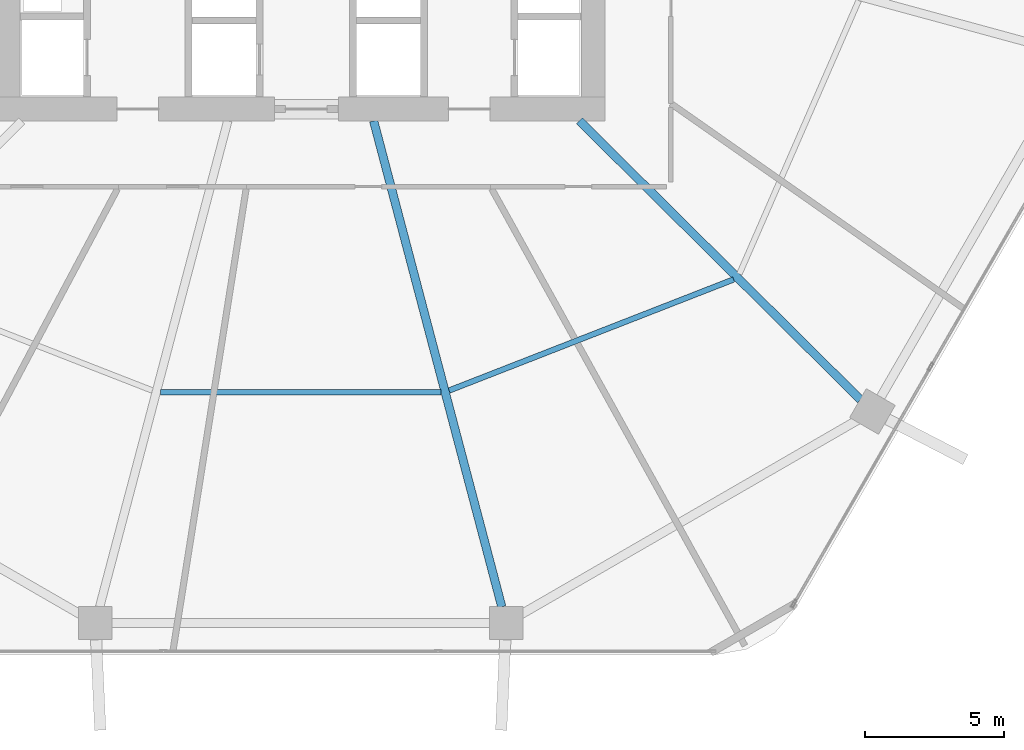
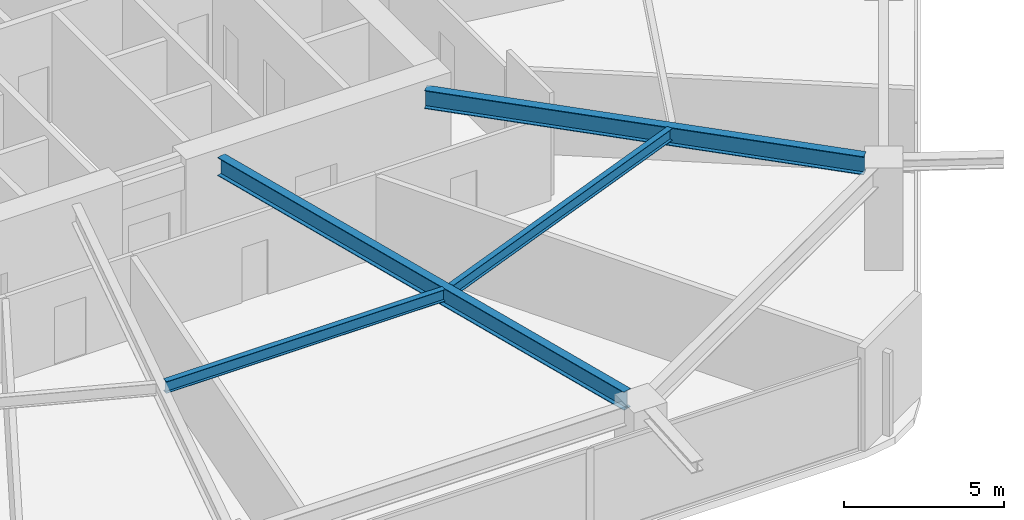
# One storey, part 8 of 26: 4 beams.
"""IFC4 building model written with IfcOpenShell, lengths in metres."""

from ifc_helpers import new_model, si_unit, direction, frame, origin, origin_2d, place, context, subcontext, project, spatial, i_section, extrude, material, material_profile, profile_set, type_object, element, save


model = new_model("IFC4")

# Units and contexts
model_context = context("Model", 3, precision=1e-05, world=origin(), true_north=direction((0.0, 1.0)))
body_context = subcontext(model_context, "Body", "Model", "MODEL_VIEW")
ifc_project = project(units=[si_unit("LENGTHUNIT", "METRE"), si_unit("AREAUNIT", "SQUARE_METRE"), si_unit("VOLUMEUNIT", "CUBIC_METRE"), si_unit("PLANEANGLEUNIT", "RADIAN"), si_unit("MASSUNIT", "GRAM", prefix="KILO")], contexts=[model_context])

# Site, building, storey
site_placement = place(None, origin())
site = spatial("IfcSite", under=ifc_project, at=site_placement, CompositionType="ELEMENT")
building_placement = place(site_placement, origin())
building = spatial("IfcBuilding", under=site, at=building_placement, Name="Zuhravey Tower", CompositionType="ELEMENT")
storey_placement = place(building_placement, frame((0.0, 0.0, 28.800048828125)))
storey = spatial("IfcBuildingStorey", under=building, at=storey_placement, Name="L07", CompositionType="ELEMENT", Elevation=28.800048828125)

# Beams
ifc_material = material(Name="Steel SM355", Category="steel")
ifc_material_profile_1 = material_profile(ifc_material, i_section(OverallWidth=0.300048828125, OverallDepth=0.699951171875, WebThickness=0.012939453125, FlangeThickness=0.02392578125, at=origin_2d()), Name="H-700x300x13x24")
ifc_profile_set_1 = profile_set([ifc_material_profile_1], Name="Steel SM355")
beam_type_1 = type_object("IfcBeamType", Name="Radial Primary Girder H700x300", PredefinedType="BEAM", material=ifc_profile_set_1)
beam_1_placement = place(storey_placement, frame((38.617919921875, 22.072021484375, 3.570068359375), z_axis=(0.254989720435, -0.966943763862, 0.0), x_axis=(0.966943763862, 0.254989720435, 0.0)))
element("IfcBeam", 1, at=beam_1_placement, inside=storey, type_object=beam_type_1, Name="L07 RG1 BM-L07-RAD-10", PredefinedType="BEAM", context=body_context, shape_type="SweptSolid", body=[
    extrude(i_section(OverallWidth=0.300048828125, OverallDepth=0.699951171875, WebThickness=0.012939453125, FlangeThickness=0.02392578125, at=origin_2d()), origin(), (0.0, 0.0, 1.0), 18.03369140625),
])
beam_2_placement = place(storey_placement, frame((46.007080078125, 22.072021484375, 3.570068359375), z_axis=(0.709902823282, -0.704299639, 0.0), x_axis=(0.704299639, 0.709902823282, 0.0)))
element("IfcBeam", 2, at=beam_2_placement, inside=storey, type_object=beam_type_1, Name="L07 RG1 BM-L07-RAD-11", PredefinedType="BEAM", context=body_context, shape_type="SweptSolid", body=[
    extrude(i_section(OverallWidth=0.300048828125, OverallDepth=0.699951171875, WebThickness=0.012939453125, FlangeThickness=0.02392578125, at=origin_2d()), origin(), (0.0, 0.0, 1.0), 14.204345703125),
])
ifc_material_profile_2 = material_profile(ifc_material, i_section(OverallWidth=0.199951171875, OverallDepth=0.449951171875, WebThickness=0.009033203125, FlangeThickness=0.013916015625, at=origin_2d()), Name="H-450x200x9x14")
ifc_profile_set_2 = profile_set([ifc_material_profile_2], Name="Steel SM355")
beam_type_2 = type_object("IfcBeamType", Name="Secondary Floor Joist H450x200", PredefinedType="JOIST", material=ifc_profile_set_2)
beam_3_placement = place(storey_placement, frame((30.969970703125, 12.3408203125, 3.695068359375), z_axis=(1.0, 0.0, 0.0), x_axis=(0.0, 1.0, 0.0)))
element("IfcBeam", 3, at=beam_3_placement, inside=storey, type_object=beam_type_2, Name="L07 SJ1 BM-L07-SJ-09-1", PredefinedType="JOIST", context=body_context, shape_type="SweptSolid", body=[
    extrude(i_section(OverallWidth=0.199951171875, OverallDepth=0.449951171875, WebThickness=0.009033203125, FlangeThickness=0.013916015625, at=origin_2d()), origin(), (0.0, 0.0, 1.0), 10.06005859375),
])
beam_4_placement = place(storey_placement, frame((41.32763671875, 12.39697265625, 3.695068359375), z_axis=(0.931516535886, 0.363698973562, 0.0), x_axis=(-0.363698973562, 0.931516535886, 0.0)))
element("IfcBeam", 4, at=beam_4_placement, inside=storey, type_object=beam_type_2, Name="L07 SJ1 BM-L07-SJ-10-1", PredefinedType="JOIST", context=body_context, shape_type="SweptSolid", body=[
    extrude(i_section(OverallWidth=0.199951171875, OverallDepth=0.449951171875, WebThickness=0.009033203125, FlangeThickness=0.013916015625, at=origin_2d()), origin(), (0.0, 0.0, 1.0), 10.963134765625),
])

save(model, "model.ifc")
